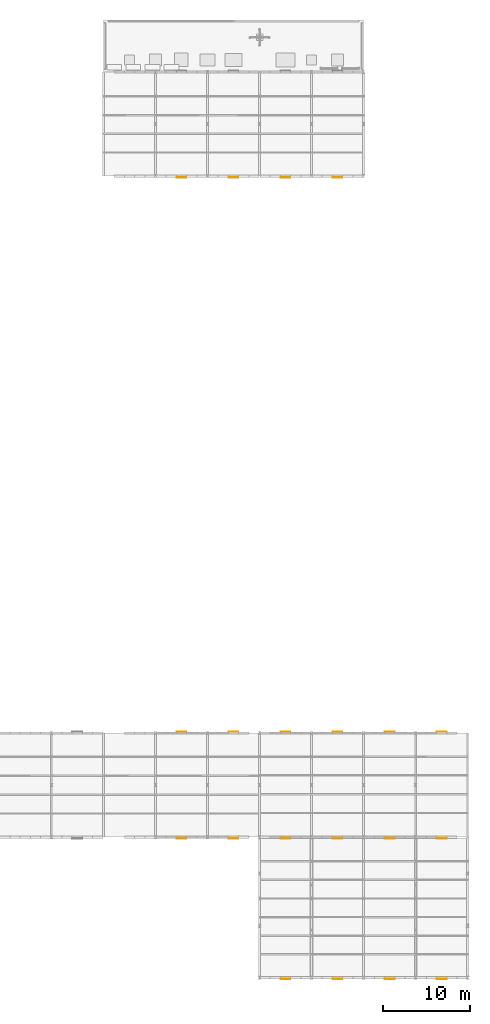
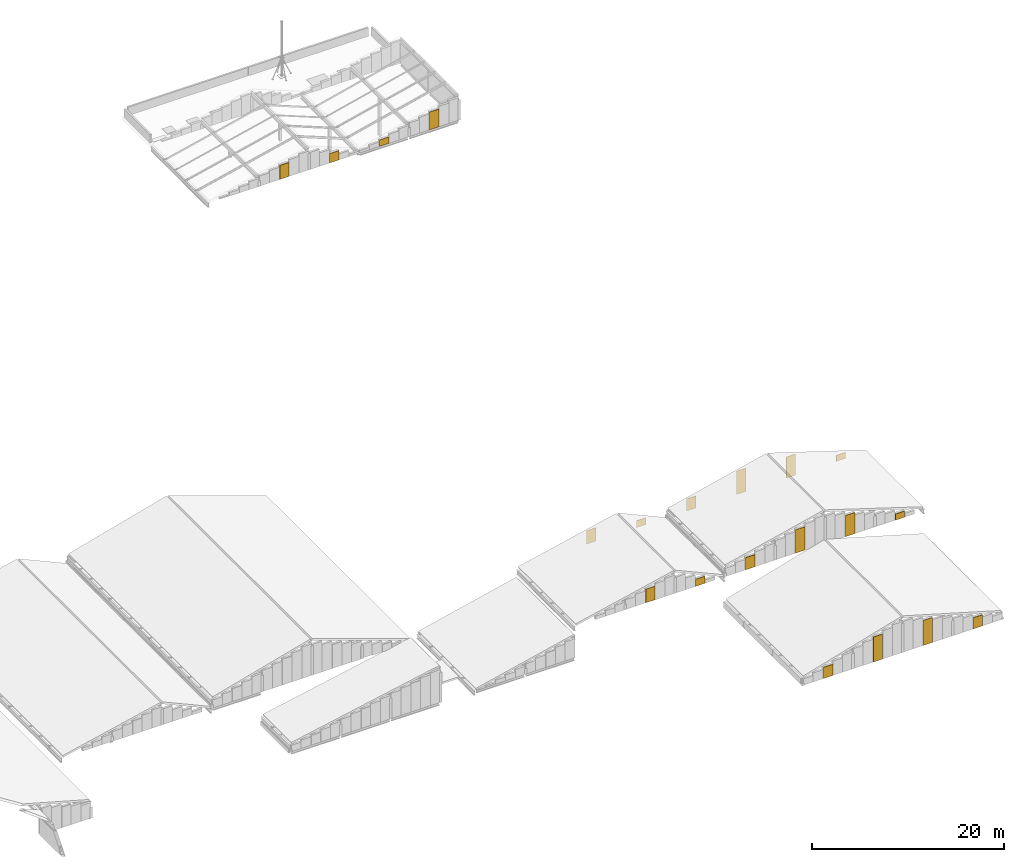
# One storey, part 73 of 74: 20 coverings.
"""IFC4 building model written with IfcOpenShell, lengths in metres."""

from ifc_helpers import new_model, si_unit, direction, frame, origin, origin_2d, place, context, subcontext, project, spatial, rectangle, extrude, material, layer, layer_set, type_object, element, save


model = new_model("IFC4")

# Units and contexts
model_context = context("Model", 3, precision=1e-05, world=origin(), true_north=direction((0.0, 1.0)))
body_context = subcontext(model_context, "Body", "Model", "MODEL_VIEW")
ifc_project = project(units=[si_unit("LENGTHUNIT", "METRE"), si_unit("AREAUNIT", "SQUARE_METRE"), si_unit("VOLUMEUNIT", "CUBIC_METRE"), si_unit("PLANEANGLEUNIT", "RADIAN"), si_unit("MASSUNIT", "GRAM", prefix="KILO")], contexts=[model_context])

# Site, building, storey
site_placement = place(None, origin())
site = spatial("IfcSite", under=ifc_project, at=site_placement, CompositionType="ELEMENT")
building_placement = place(site_placement, origin())
building = spatial("IfcBuilding", under=site, at=building_placement, Name="Siltcreek Boulevard Central Fire Station", CompositionType="ELEMENT")
storey_placement = place(building_placement, frame((0.0, 0.0, 25.199951171875)))
storey = spatial("IfcBuildingStorey", under=building, at=storey_placement, Name="RF", CompositionType="ELEMENT", Elevation=25.199951171875)

# Coverings
ifc_material = material(Name="Clear-sealed Western Red Cedar gable cladding", Category="wood")
ifc_layer = layer(ifc_material, 0.034912109375, Name="Clear-sealed Western Red Cedar gable cladding")
ifc_layer_set = layer_set([ifc_layer], Name="Clear-sealed Western Red Cedar gable cladding")
covering_type = type_object("IfcCoveringType", Name="COV_CLAD_CEDAR", PredefinedType="CLADDING", material=ifc_layer_set)
covering_1_placement = place(storey_placement, frame((133.199951171875, 94.052001953125, -3.56982421875), z_axis=(0.0, 0.0, 1.0), x_axis=(1.0, 0.0, 0.0)))
element("IfcCovering", 1, at=covering_1_placement, inside=storey, type_object=covering_type, Name="Gable facade cladding panel CL-065", PredefinedType="CLADDING", context=body_context, shape_type="SweptSolid", body=[
    extrude(rectangle(XDim=1.1220703125, YDim=0.034912109375, at=origin_2d()), origin(), (0.0, 0.0, 1.0), 1.785400390625),
])
covering_2_placement = place(storey_placement, frame((139.199951171875, 94.052001953125, -3.570068359375), z_axis=(0.0, 0.0, 1.0), x_axis=(1.0, 0.0, 0.0)))
element("IfcCovering", 2, at=covering_2_placement, inside=storey, type_object=covering_type, Name="Gable facade cladding panel CL-067", PredefinedType="CLADDING", context=body_context, shape_type="SweptSolid", body=[
    extrude(rectangle(XDim=1.1220703125, YDim=0.034912109375, at=origin_2d()), origin(), (0.0, 0.0, 1.0), 1.17431640625),
])
covering_3_placement = place(storey_placement, frame((145.199951171875, 94.052001953125, -3.56982421875), z_axis=(0.0, 0.0, 1.0), x_axis=(1.0, 0.0, 0.0)))
element("IfcCovering", 3, at=covering_3_placement, inside=storey, type_object=covering_type, Name="Gable facade cladding panel CL-069", PredefinedType="CLADDING", context=body_context, shape_type="SweptSolid", body=[
    extrude(rectangle(XDim=1.1220703125, YDim=0.034912109375, at=origin_2d()), origin(), (0.0, 0.0, 1.0), 0.804931640625),
])
covering_4_placement = place(storey_placement, frame((151.199951171875, 94.052001953125, -3.56982421875), z_axis=(0.0, 0.0, 1.0), x_axis=(1.0, 0.0, 0.0)))
element("IfcCovering", 4, at=covering_4_placement, inside=storey, type_object=covering_type, Name="Gable facade cladding panel CL-070", PredefinedType="CLADDING", context=body_context, shape_type="SweptSolid", body=[
    extrude(rectangle(XDim=1.1220703125, YDim=0.034912109375, at=origin_2d()), origin(), (0.0, 0.0, 1.0), 2.2548828125),
])
for number, where, z_axis, x_axis, name in (
    (5, (133.199951171875, 17.85205078125, -11.169921875), (0.0, 0.0, 1.0), (1.0, 0.0, 0.0), "Gable facade cladding panel CL-075"),
    (6, (133.199951171875, 30.14794921875, -11.169921875), (0.0, 0.0, 1.0), (-1.0, 0.0, 0.0), "Gable facade cladding panel CL-076"),
):
    element("IfcCovering", number, at=place(storey_placement, frame(where, z_axis=z_axis, x_axis=x_axis)), inside=storey, type_object=covering_type, Name=name, PredefinedType="CLADDING", context=body_context, shape_type="SweptSolid", body=[
        extrude(rectangle(XDim=1.1220703125, YDim=0.034912109375, at=origin_2d()), origin(), (0.0, 0.0, 1.0), 1.7158203125),
    ])
for number, where, z_axis, x_axis, name in (
    (7, (139.199951171875, 17.85205078125, -11.169921875), (0.0, 0.0, 1.0), (1.0, 0.0, 0.0), "Gable facade cladding panel CL-077"),
    (8, (139.199951171875, 30.14794921875, -11.169921875), (0.0, 0.0, 1.0), (-1.0, 0.0, 0.0), "Gable facade cladding panel CL-078"),
):
    element("IfcCovering", number, at=place(storey_placement, frame(where, z_axis=z_axis, x_axis=x_axis)), inside=storey, type_object=covering_type, Name=name, PredefinedType="CLADDING", context=body_context, shape_type="SweptSolid", body=[
        extrude(rectangle(XDim=1.1220703125, YDim=0.034912109375, at=origin_2d()), origin(), (0.0, 0.0, 1.0), 0.889892578125),
    ])
covering_5_placement = place(storey_placement, frame((145.199951171875, 1.652099609375, -15.169921875), z_axis=(0.0, 0.0, 1.0), x_axis=(1.0, 0.0, 0.0)))
element("IfcCovering", 9, at=covering_5_placement, inside=storey, type_object=covering_type, Name="Gable facade cladding panel CL-079", PredefinedType="CLADDING", context=body_context, shape_type="SweptSolid", body=[
    extrude(rectangle(XDim=1.1220703125, YDim=0.034912109375, at=origin_2d()), origin(), (0.0, 0.0, 1.0), 1.422119140625),
])
for number, where, z_axis, x_axis, name in (
    (10, (151.199951171875, 1.652099609375, -15.169921875), (0.0, 0.0, 1.0), (1.0, 0.0, 0.0), "Gable facade cladding panel CL-080"),
    (11, (157.199951171875, 1.652099609375, -15.169921875), (0.0, 0.0, 1.0), (1.0, 0.0, 0.0), "Gable facade cladding panel CL-081"),
):
    element("IfcCovering", number, at=place(storey_placement, frame(where, z_axis=z_axis, x_axis=x_axis)), inside=storey, type_object=covering_type, Name=name, PredefinedType="CLADDING", context=body_context, shape_type="SweptSolid", body=[
        extrude(rectangle(XDim=1.1220703125, YDim=0.034912109375, at=origin_2d()), origin(), (0.0, 0.0, 1.0), 3.172119140625),
    ])
covering_6_placement = place(storey_placement, frame((163.199951171875, 1.652099609375, -15.169921875), z_axis=(0.0, 0.0, 1.0), x_axis=(1.0, 0.0, 0.0)))
element("IfcCovering", 12, at=covering_6_placement, inside=storey, type_object=covering_type, Name="Gable facade cladding panel CL-082", PredefinedType="CLADDING", context=body_context, shape_type="SweptSolid", body=[
    extrude(rectangle(XDim=1.1220703125, YDim=0.034912109375, at=origin_2d()), origin(), (0.0, 0.0, 1.0), 1.422119140625),
])
covering_7_placement = place(storey_placement, frame((145.199951171875, 17.85205078125, -11.169921875), z_axis=(0.0, 0.0, 1.0), x_axis=(1.0, 0.0, 0.0)))
element("IfcCovering", 13, at=covering_7_placement, inside=storey, type_object=covering_type, Name="Gable facade cladding panel CL-083", PredefinedType="CLADDING", context=body_context, shape_type="SweptSolid", body=[
    extrude(rectangle(XDim=1.1220703125, YDim=0.034912109375, at=origin_2d()), origin(), (0.0, 0.0, 1.0), 1.545166015625),
])
covering_8_placement = place(storey_placement, frame((151.199951171875, 17.85205078125, -11.169921875), z_axis=(0.0, 0.0, 1.0), x_axis=(1.0, 0.0, 0.0)))
element("IfcCovering", 14, at=covering_8_placement, inside=storey, type_object=covering_type, Name="Gable facade cladding panel CL-084", PredefinedType="CLADDING", context=body_context, shape_type="SweptSolid", body=[
    extrude(rectangle(XDim=1.1220703125, YDim=0.034912109375, at=origin_2d()), origin(), (0.0, 0.0, 1.0), 2.97021484375),
])
covering_9_placement = place(storey_placement, frame((145.199951171875, 30.14794921875, -11.169921875), z_axis=(0.0, 0.0, 1.0), x_axis=(-1.0, 0.0, 0.0)))
element("IfcCovering", 15, at=covering_9_placement, inside=storey, type_object=covering_type, Name="Gable facade cladding panel CL-085", PredefinedType="CLADDING", context=body_context, shape_type="SweptSolid", body=[
    extrude(rectangle(XDim=1.1220703125, YDim=0.034912109375, at=origin_2d()), origin(), (0.0, 0.0, 1.0), 1.545166015625),
])
covering_10_placement = place(storey_placement, frame((151.199951171875, 30.14794921875, -11.169921875), z_axis=(0.0, 0.0, 1.0), x_axis=(-1.0, 0.0, 0.0)))
element("IfcCovering", 16, at=covering_10_placement, inside=storey, type_object=covering_type, Name="Gable facade cladding panel CL-086", PredefinedType="CLADDING", context=body_context, shape_type="SweptSolid", body=[
    extrude(rectangle(XDim=1.1220703125, YDim=0.034912109375, at=origin_2d()), origin(), (0.0, 0.0, 1.0), 2.97021484375),
])
covering_11_placement = place(storey_placement, frame((157.199951171875, 17.85205078125, -11.169921875), z_axis=(0.0, 0.0, 1.0), x_axis=(1.0, 0.0, 0.0)))
element("IfcCovering", 17, at=covering_11_placement, inside=storey, type_object=covering_type, Name="Gable facade cladding panel CL-087", PredefinedType="CLADDING", context=body_context, shape_type="SweptSolid", body=[
    extrude(rectangle(XDim=1.1220703125, YDim=0.034912109375, at=origin_2d()), origin(), (0.0, 0.0, 1.0), 2.6806640625),
])
covering_12_placement = place(storey_placement, frame((163.199951171875, 17.85205078125, -11.169921875), z_axis=(0.0, 0.0, 1.0), x_axis=(1.0, 0.0, 0.0)))
element("IfcCovering", 18, at=covering_12_placement, inside=storey, type_object=covering_type, Name="Gable facade cladding panel CL-088", PredefinedType="CLADDING", context=body_context, shape_type="SweptSolid", body=[
    extrude(rectangle(XDim=1.1220703125, YDim=0.034912109375, at=origin_2d()), origin(), (0.0, 0.0, 1.0), 0.780517578125),
])
covering_13_placement = place(storey_placement, frame((157.199951171875, 30.14794921875, -11.169921875), z_axis=(0.0, 0.0, 1.0), x_axis=(-1.0, 0.0, 0.0)))
element("IfcCovering", 19, at=covering_13_placement, inside=storey, type_object=covering_type, Name="Gable facade cladding panel CL-089", PredefinedType="CLADDING", context=body_context, shape_type="SweptSolid", body=[
    extrude(rectangle(XDim=1.1220703125, YDim=0.034912109375, at=origin_2d()), origin(), (0.0, 0.0, 1.0), 2.6806640625),
])
covering_14_placement = place(storey_placement, frame((163.199951171875, 30.14794921875, -11.169921875), z_axis=(0.0, 0.0, 1.0), x_axis=(-1.0, 0.0, 0.0)))
element("IfcCovering", 20, at=covering_14_placement, inside=storey, type_object=covering_type, Name="Gable facade cladding panel CL-090", PredefinedType="CLADDING", context=body_context, shape_type="SweptSolid", body=[
    extrude(rectangle(XDim=1.1220703125, YDim=0.034912109375, at=origin_2d()), origin(), (0.0, 0.0, 1.0), 0.780517578125),
])

save(model, "model.ifc")
